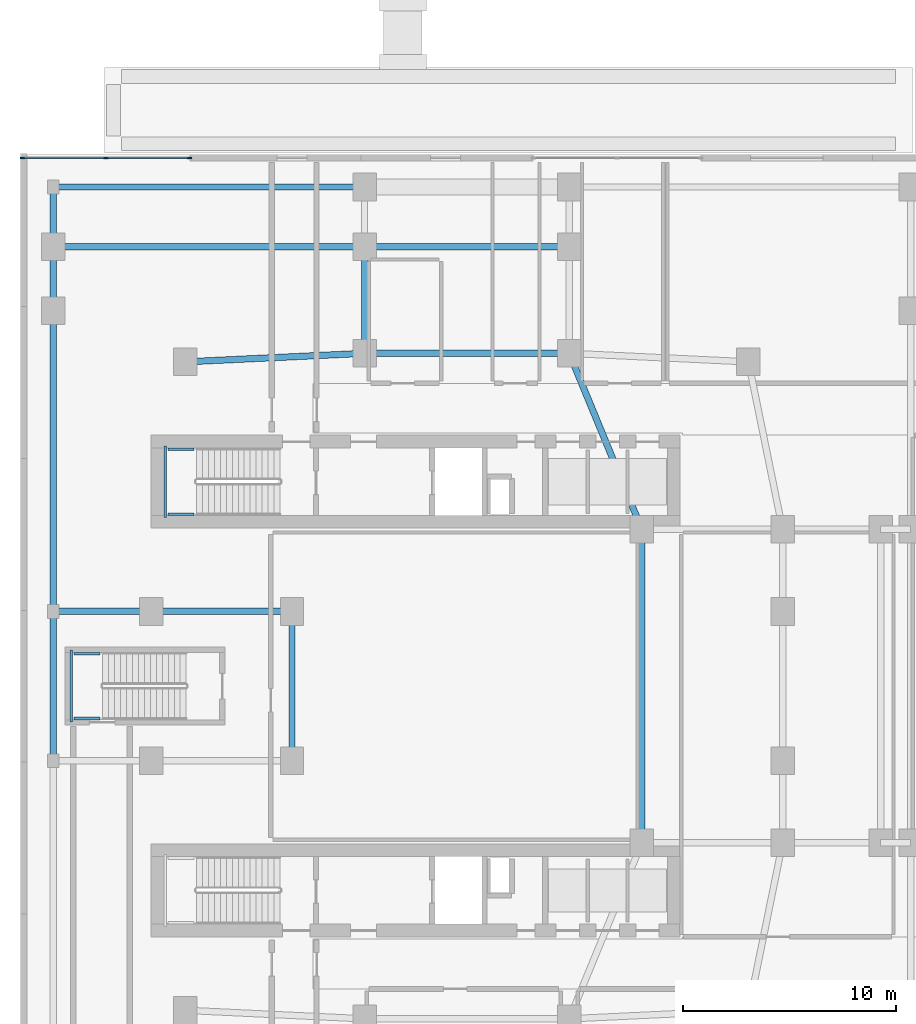
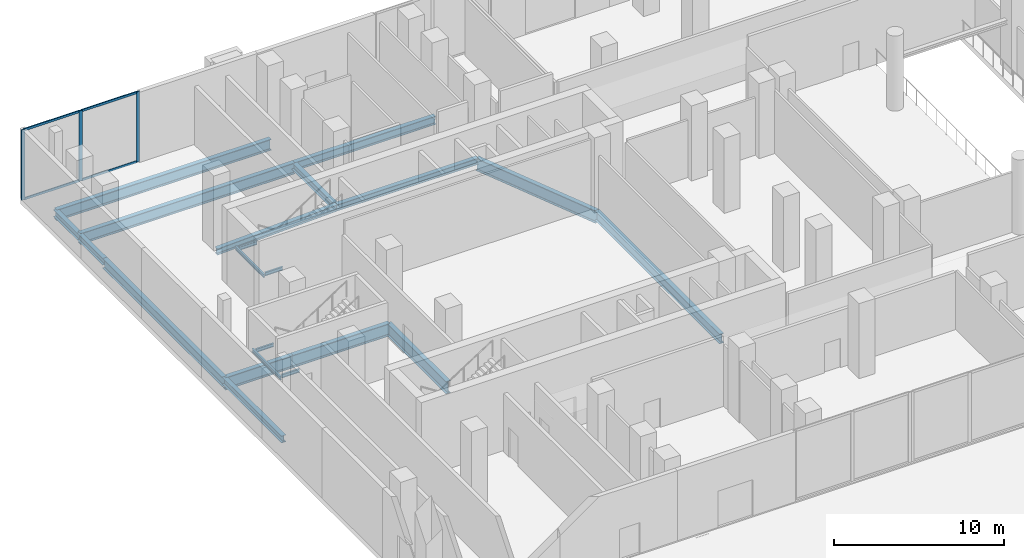
# One storey, part 4 of 24: 21 beams, 7 members, 1 element without a shape of its own.
"""IFC4 building model written with IfcOpenShell, lengths in metres."""

from ifc_helpers import new_model, si_unit, derived_unit, direction, frame, origin, origin_2d, place, context, subcontext, project, spatial, rectangle, i_section, extrude, material, layer, layer_set, material_profile, profile_set, type_object, element, aggregate, save


model = new_model("IFC4")

# Units and contexts
model_context = context("Model", 3, precision=1e-05, world=origin(), true_north=direction((0.0, 1.0)))
body_context = subcontext(model_context, "Body", "Model", "MODEL_VIEW")
ifc_project = project(units=[si_unit("LENGTHUNIT", "METRE"), si_unit("AREAUNIT", "SQUARE_METRE"), si_unit("VOLUMEUNIT", "CUBIC_METRE"), si_unit("PLANEANGLEUNIT", "RADIAN"), si_unit("MASSUNIT", "GRAM", prefix="KILO"), derived_unit("THERMALTRANSMITTANCEUNIT", [(si_unit("POWERUNIT", "WATT"), 1), (si_unit("LENGTHUNIT", "METRE"), -2), (si_unit("THERMODYNAMICTEMPERATUREUNIT", "KELVIN"), -1)])], contexts=[model_context])

# Site, building, storey
site_placement = place(None, origin())
site = spatial("IfcSite", under=ifc_project, at=site_placement, CompositionType="ELEMENT")
building_placement = place(site_placement, origin())
building = spatial("IfcBuilding", under=site, at=building_placement, Name="Kivonza Crest Hotel", CompositionType="ELEMENT")
storey_placement = place(building_placement, origin())
storey = spatial("IfcBuildingStorey", under=building, at=storey_placement, Name="L00", CompositionType="ELEMENT", Elevation=0.0)

# Beams
ifc_material_1 = material(Name="Steel S355", Category="steel")
ifc_material_profile_1 = material_profile(ifc_material_1, i_section(OverallWidth=0.300048828125, OverallDepth=0.449951171875, WebThickness=0.013916015625, FlangeThickness=0.02587890625, FilletRadius=0.027099609375, at=origin_2d()), Name="HEB 450")
ifc_profile_set_1 = profile_set([ifc_material_profile_1], Name="Steel S355")
beam_type_1 = type_object("IfcBeamType", Name="BM-HEB450", PredefinedType="SPANDREL", material=ifc_profile_set_1)
beam_1_placement = place(storey_placement, frame((25.800048828125, 40.60009765625, -0.574951171875), z_axis=(-1.0, 0.0, 0.0), x_axis=(0.0, -1.0, 0.0)))
element("IfcBeam", 1, at=beam_1_placement, inside=storey, type_object=beam_type_1, Name="Tower T1 L00 perimeter spandrel N2-N1", PredefinedType="SPANDREL", context=body_context, shape_type="SweptSolid", body=[
    extrude(i_section(OverallWidth=0.300048828125, OverallDepth=0.449951171875, WebThickness=0.013916015625, FlangeThickness=0.02587890625, FilletRadius=0.027099609375, at=origin_2d()), origin(), (0.0, 0.0, 1.0), 9.60009765625),
])
beam_2_placement = place(storey_placement, frame((16.199951171875, 40.60009765625, -0.574951171875), z_axis=(-0.998867283688, -0.047583080799, 0.0), x_axis=(0.047583080799, -0.998867283688, 0.0)))
element("IfcBeam", 2, at=beam_2_placement, inside=storey, type_object=beam_type_1, Name="Tower T1 L00 perimeter spandrel N1-NW", PredefinedType="SPANDREL", context=body_context, shape_type="SweptSolid", body=[
    extrude(i_section(OverallWidth=0.300048828125, OverallDepth=0.449951171875, WebThickness=0.013916015625, FlangeThickness=0.02587890625, FilletRadius=0.027099609375, at=origin_2d()), origin(), (0.0, 0.0, 1.0), 8.409423828125),
])
ifc_material_profile_2 = material_profile(ifc_material_1, i_section(OverallWidth=0.300048828125, OverallDepth=0.5, WebThickness=0.014404296875, FlangeThickness=0.028076171875, FilletRadius=0.027099609375, at=origin_2d()), Name="HEB 500")
ifc_profile_set_2 = profile_set([ifc_material_profile_2], Name="Steel S355")
beam_type_2 = type_object("IfcBeamType", Name="BM-HEB500", PredefinedType="BEAM", material=ifc_profile_set_2)
beam_3_placement = place(storey_placement, frame((1.60009765625, 21.5, -0.60009765625), z_axis=(0.0, 1.0, 0.0), x_axis=(-1.0, 0.0, 0.0)))
element("IfcBeam", 3, at=beam_3_placement, inside=storey, type_object=beam_type_2, Name="L00 podium girder Y 51", PredefinedType="BEAM", context=body_context, shape_type="SweptSolid", body=[
    extrude(i_section(OverallWidth=0.300048828125, OverallDepth=0.5, WebThickness=0.014404296875, FlangeThickness=0.028076171875, FilletRadius=0.027099609375, at=origin_2d()), origin(), (0.0, 0.0, 1.0), 7.0),
])
beam_4_placement = place(storey_placement, frame((1.60009765625, 42.60009765625, -0.60009765625), z_axis=(0.0, 1.0, 0.0), x_axis=(-1.0, 0.0, 0.0)))
element("IfcBeam", 4, at=beam_4_placement, inside=storey, type_object=beam_type_2, Name="L00 podium girder Y 53", PredefinedType="BEAM", context=body_context, shape_type="SweptSolid", body=[
    extrude(i_section(OverallWidth=0.300048828125, OverallDepth=0.5, WebThickness=0.014404296875, FlangeThickness=0.028076171875, FilletRadius=0.027099609375, at=origin_2d()), origin(), (0.0, 0.0, 1.0), 3.0),
])
beam_5_placement = place(storey_placement, frame((1.60009765625, 45.60009765625, -0.60009765625), z_axis=(0.0, 1.0, 0.0), x_axis=(-1.0, 0.0, 0.0)))
element("IfcBeam", 5, at=beam_5_placement, inside=storey, type_object=beam_type_2, Name="L00 podium girder Y 54", PredefinedType="BEAM", context=body_context, shape_type="SweptSolid", body=[
    extrude(i_section(OverallWidth=0.300048828125, OverallDepth=0.5, WebThickness=0.014404296875, FlangeThickness=0.028076171875, FilletRadius=0.027099609375, at=origin_2d()), origin(), (0.0, 0.0, 1.0), 2.7998046875),
])
beam_6_placement = place(storey_placement, frame((16.199951171875, 40.60009765625, -0.60009765625), z_axis=(0.0, 1.0, 0.0), x_axis=(-1.0, 0.0, 0.0)))
element("IfcBeam", 6, at=beam_6_placement, inside=storey, type_object=beam_type_2, Name="L00 podium girder Y 59", PredefinedType="BEAM", context=body_context, shape_type="SweptSolid", body=[
    extrude(i_section(OverallWidth=0.300048828125, OverallDepth=0.5, WebThickness=0.014404296875, FlangeThickness=0.028076171875, FilletRadius=0.027099609375, at=origin_2d()), origin(), (0.0, 0.0, 1.0), 5.0),
])
ifc_material_profile_3 = material_profile(ifc_material_1, i_section(OverallWidth=0.300048828125, OverallDepth=0.60009765625, WebThickness=0.015380859375, FlangeThickness=0.030029296875, FilletRadius=0.027099609375, at=origin_2d()), Name="HEB 600")
ifc_profile_set_3 = profile_set([ifc_material_profile_3], Name="Steel S355")
beam_type_3 = type_object("IfcBeamType", Name="BM-HEB600", PredefinedType="BEAM", material=ifc_profile_set_3)
beam_7_placement = place(storey_placement, frame((16.199951171875, 45.60009765625, -0.64990234375), z_axis=(1.0, 0.0, 0.0), x_axis=(0.0, 1.0, 0.0)))
element("IfcBeam", 7, at=beam_7_placement, inside=storey, type_object=beam_type_3, Name="L00 podium girder X 38", PredefinedType="BEAM", context=body_context, shape_type="SweptSolid", body=[
    extrude(i_section(OverallWidth=0.300048828125, OverallDepth=0.60009765625, WebThickness=0.015380859375, FlangeThickness=0.030029296875, FilletRadius=0.027099609375, at=origin_2d()), origin(), (0.0, 0.0, 1.0), 9.60009765625),
])
ifc_material_profile_4 = material_profile(ifc_material_1, i_section(OverallWidth=0.300048828125, OverallDepth=0.699951171875, WebThickness=0.01708984375, FlangeThickness=0.031982421875, FilletRadius=0.027099609375, at=origin_2d()), Name="HEB 700")
ifc_profile_set_4 = profile_set([ifc_material_profile_4], Name="Steel S355")
beam_type_4 = type_object("IfcBeamType", Name="BM-HEB700", PredefinedType="BEAM", material=ifc_profile_set_4)
beam_8_placement = place(storey_placement, frame((1.60009765625, 28.5, -0.699951171875), z_axis=(0.0, 1.0, 0.0), x_axis=(-1.0, 0.0, 0.0)))
element("IfcBeam", 8, at=beam_8_placement, inside=storey, type_object=beam_type_4, Name="L00 podium girder Y 52", PredefinedType="BEAM", context=body_context, shape_type="SweptSolid", body=[
    extrude(i_section(OverallWidth=0.300048828125, OverallDepth=0.699951171875, WebThickness=0.01708984375, FlangeThickness=0.031982421875, FilletRadius=0.027099609375, at=origin_2d()), origin(), (0.0, 0.0, 1.0), 14.10009765625),
])
beam_9_placement = place(storey_placement, frame((29.199951171875, 17.64990234375, -0.699951171875), z_axis=(0.0, 1.0, 0.0), x_axis=(-1.0, 0.0, 0.0)))
element("IfcBeam", 9, at=beam_9_placement, inside=storey, type_object=beam_type_4, Name="L00 podium girder Y 65", PredefinedType="BEAM", context=body_context, shape_type="SweptSolid", body=[
    extrude(i_section(OverallWidth=0.300048828125, OverallDepth=0.699951171875, WebThickness=0.01708984375, FlangeThickness=0.031982421875, FilletRadius=0.027099609375, at=origin_2d()), origin(), (0.0, 0.0, 1.0), 14.7001953125),
])
ifc_material_profile_5 = material_profile(ifc_material_1, i_section(OverallWidth=0.300048828125, OverallDepth=0.800048828125, WebThickness=0.017578125, FlangeThickness=0.032958984375, FilletRadius=0.030029296875, at=origin_2d()), Name="HEB 800")
ifc_profile_set_5 = profile_set([ifc_material_profile_5], Name="Steel S355")
beam_type_5 = type_object("IfcBeamType", Name="BM-HEB800", PredefinedType="BEAM", material=ifc_profile_set_5)
for number, where, z_axis, x_axis, name in (
    (10, (1.60009765625, 45.60009765625, -0.75), (1.0, 0.0, 0.0), (0.0, 1.0, 0.0), "L00 podium girder X 37"),
    (11, (1.60009765625, 48.39990234375, -0.75), (1.0, 0.0, 0.0), (0.0, 1.0, 0.0), "L00 podium girder X 41"),
):
    element("IfcBeam", number, at=place(storey_placement, frame(where, z_axis=z_axis, x_axis=x_axis)), inside=storey, type_object=beam_type_5, Name=name, PredefinedType="BEAM", context=body_context, shape_type="SweptSolid", body=[
        extrude(i_section(OverallWidth=0.300048828125, OverallDepth=0.800048828125, WebThickness=0.017578125, FlangeThickness=0.032958984375, FilletRadius=0.030029296875, at=origin_2d()), origin(), (0.0, 0.0, 1.0), 14.599853515625),
    ])
ifc_material_profile_6 = material_profile(ifc_material_1, i_section(OverallWidth=0.300048828125, OverallDepth=0.89990234375, WebThickness=0.0185546875, FlangeThickness=0.034912109375, FilletRadius=0.030029296875, at=origin_2d()), Name="HEB 900")
ifc_profile_set_6 = profile_set([ifc_material_profile_6], Name="Steel S355")
beam_type_6 = type_object("IfcBeamType", Name="BM-HEB900", PredefinedType="BEAM", material=ifc_profile_set_6)
beam_10_placement = place(storey_placement, frame((6.199951171875, 28.5, -0.800048828125), z_axis=(1.0, 0.0, 0.0), x_axis=(0.0, 1.0, 0.0)))
element("IfcBeam", 12, at=beam_10_placement, inside=storey, type_object=beam_type_6, Name="Tower T1 L00 primary girder W2-WL2", PredefinedType="BEAM", context=body_context, shape_type="SweptSolid", body=[
    extrude(i_section(OverallWidth=0.300048828125, OverallDepth=0.89990234375, WebThickness=0.0185546875, FlangeThickness=0.034912109375, FilletRadius=0.030029296875, at=origin_2d()), origin(), (0.0, 0.0, 1.0), 6.60009765625),
])
beam_11_placement = place(storey_placement, frame((12.800048828125, 21.5, -0.800048828125), z_axis=(0.0, 1.0, 0.0), x_axis=(-1.0, 0.0, 0.0)))
element("IfcBeam", 13, at=beam_11_placement, inside=storey, type_object=beam_type_6, Name="Tower T1 L00 primary girder WL1-WL2", PredefinedType="BEAM", context=body_context, shape_type="SweptSolid", body=[
    extrude(i_section(OverallWidth=0.300048828125, OverallDepth=0.89990234375, WebThickness=0.0185546875, FlangeThickness=0.034912109375, FilletRadius=0.030029296875, at=origin_2d()), origin(), (0.0, 0.0, 1.0), 7.0),
])
beam_12_placement = place(storey_placement, frame((25.800048828125, 40.60009765625, -0.800048828125), z_axis=(0.381022260404, -0.924565864109, 0.0), x_axis=(0.924565864109, 0.381022260404, 0.0)))
element("IfcBeam", 14, at=beam_12_placement, inside=storey, type_object=beam_type_6, Name="Tower T1 L00 primary girder N1-TNE", PredefinedType="BEAM", context=body_context, shape_type="SweptSolid", body=[
    extrude(i_section(OverallWidth=0.300048828125, OverallDepth=0.89990234375, WebThickness=0.0185546875, FlangeThickness=0.034912109375, FilletRadius=0.030029296875, at=origin_2d()), origin(), (0.0, 0.0, 1.0), 8.923095703125),
])
beam_13_placement = place(storey_placement, frame((1.60009765625, 28.5, -0.800048828125), z_axis=(1.0, 0.0, 0.0), x_axis=(0.0, 1.0, 0.0)))
element("IfcBeam", 15, at=beam_13_placement, inside=storey, type_object=beam_type_6, Name="Tower T1 L00 outer bay girder ZW2", PredefinedType="BEAM", context=body_context, shape_type="SweptSolid", body=[
    extrude(i_section(OverallWidth=0.300048828125, OverallDepth=0.89990234375, WebThickness=0.0185546875, FlangeThickness=0.034912109375, FilletRadius=0.030029296875, at=origin_2d()), origin(), (0.0, 0.0, 1.0), 4.599853515625),
])
ifc_material_profile_7 = material_profile(ifc_material_1, i_section(OverallWidth=0.1201171875, OverallDepth=0.239990234375, WebThickness=0.006103515625, FlangeThickness=0.009765625, FilletRadius=0.014892578125, at=origin_2d()), Name="IPE 240")
ifc_profile_set_7 = profile_set([ifc_material_profile_7], Name="Steel S355")
beam_type_7 = type_object("IfcBeamType", Name="BM-LLDG-240", PredefinedType="BEAM", material=ifc_profile_set_7)
beam_14_placement = place(storey_placement, frame((6.860107421875, 32.89990234375, 2.3798828125), z_axis=(0.0, 1.0, 0.0), x_axis=(-1.0, 0.0, 0.0)))
element("IfcBeam", 16, at=beam_14_placement, inside=storey, type_object=beam_type_7, Name="Stair ST-T1-N L00 West landing corbel", PredefinedType="BEAM", context=body_context, shape_type="SweptSolid", body=[
    extrude(i_section(OverallWidth=0.1201171875, OverallDepth=0.239990234375, WebThickness=0.006103515625, FlangeThickness=0.009765625, FilletRadius=0.014892578125, at=origin_2d()), origin(), (0.0, 0.0, 1.0), 3.360107421875),
])
for number, where, z_axis, x_axis, name in (
    (17, (6.989990234375, 33.06005859375, 2.3798828125), (1.0, 0.0, 0.0), (0.0, 1.0, 0.0), "Stair ST-T1-N L00 South landing corbel"),
    (18, (6.989990234375, 36.10009765625, 2.3798828125), (1.0, 0.0, 0.0), (0.0, 1.0, 0.0), "Stair ST-T1-N L00 North landing corbel"),
):
    element("IfcBeam", number, at=place(storey_placement, frame(where, z_axis=z_axis, x_axis=x_axis)), inside=storey, type_object=beam_type_7, Name=name, PredefinedType="BEAM", context=body_context, shape_type="SweptSolid", body=[
        extrude(i_section(OverallWidth=0.1201171875, OverallDepth=0.239990234375, WebThickness=0.006103515625, FlangeThickness=0.009765625, FilletRadius=0.014892578125, at=origin_2d()), origin(), (0.0, 0.0, 1.0), 1.2099609375),
    ])
beam_15_placement = place(storey_placement, frame((2.4599609375, 23.320068359375, 2.3798828125), z_axis=(0.0, 1.0, 0.0), x_axis=(-1.0, 0.0, 0.0)))
element("IfcBeam", 19, at=beam_15_placement, inside=storey, type_object=beam_type_7, Name="Stair ST-POD-W L00 West landing corbel", PredefinedType="BEAM", context=body_context, shape_type="SweptSolid", body=[
    extrude(i_section(OverallWidth=0.1201171875, OverallDepth=0.239990234375, WebThickness=0.006103515625, FlangeThickness=0.009765625, FilletRadius=0.014892578125, at=origin_2d()), origin(), (0.0, 0.0, 1.0), 3.35986328125),
])
for number, where, z_axis, x_axis, name in (
    (20, (2.590087890625, 23.47998046875, 2.3798828125), (1.0, 0.0, 0.0), (0.0, 1.0, 0.0), "Stair ST-POD-W L00 South landing corbel"),
    (21, (2.590087890625, 26.52001953125, 2.3798828125), (1.0, 0.0, 0.0), (0.0, 1.0, 0.0), "Stair ST-POD-W L00 North landing corbel"),
):
    element("IfcBeam", number, at=place(storey_placement, frame(where, z_axis=z_axis, x_axis=x_axis)), inside=storey, type_object=beam_type_7, Name=name, PredefinedType="BEAM", context=body_context, shape_type="SweptSolid", body=[
        extrude(i_section(OverallWidth=0.1201171875, OverallDepth=0.239990234375, WebThickness=0.006103515625, FlangeThickness=0.009765625, FilletRadius=0.014892578125, at=origin_2d()), origin(), (0.0, 0.0, 1.0), 1.2099609375),
    ])

# Curtain wall, members
ifc_material_2 = material(Name="Anodised bronze aluminium and low-E double glazing", Category="aluminium")
ifc_layer = layer(ifc_material_2, 0.219970703125)
ifc_layer_set = layer_set([ifc_layer], Name="Anodised bronze aluminium and low-E double glazing")
curtain_wall_type = type_object("IfcCurtainWallType", Name="CW-SYS-1", PredefinedType="NOTDEFINED", material=ifc_layer_set)
curtain_wall_placement = place(storey_placement, origin())
curtain_wall = element("IfcCurtainWall", 22, at=curtain_wall_placement, inside=storey, type_object=curtain_wall_type, Name="L00 unitised curtain wall CW-POD-L00-31", PredefinedType="NOTDEFINED")
ifc_material_3 = material(Name="Anodised bronze aluminium", Category="aluminium")
ifc_material_profile_8 = material_profile(ifc_material_3, rectangle(XDim=0.074951171875, YDim=0.219970703125, at=origin_2d()), Name="CW-M 75x220")
ifc_profile_set_8 = profile_set([ifc_material_profile_8], Name="Anodised bronze aluminium")
member_type_1 = type_object("IfcMemberType", Name="CW-MUL-75x220", PredefinedType="MULLION", material=ifc_profile_set_8)
member_1_placement = place(storey_placement, frame((7.989501953125, 49.760009765625, 0.0), z_axis=(0.0, 0.0, 1.0), x_axis=(0.0, -1.0, 0.0)))
member_1 = element("IfcMember", 23, at=member_1_placement, type_object=member_type_1, Name="CW-1 mullion 1", PredefinedType="MULLION", context=body_context, shape_type="SweptSolid", body=[
    extrude(rectangle(XDim=0.074951171875, YDim=0.219970703125, at=origin_2d()), origin(), (0.0, 0.0, 1.0), 5.050048828125),
])
member_2_placement = place(storey_placement, frame((4.073486328125, 49.760009765625, 0.0), z_axis=(0.0, 0.0, 1.0), x_axis=(0.0, -1.0, 0.0)))
member_2 = element("IfcMember", 24, at=member_2_placement, type_object=member_type_1, Name="CW-1 mullion 2", PredefinedType="MULLION", context=body_context, shape_type="SweptSolid", body=[
    extrude(rectangle(XDim=0.074951171875, YDim=0.219970703125, at=origin_2d()), origin(), (0.0, 0.0, 1.0), 5.050048828125),
])
member_3_placement = place(storey_placement, frame((0.157470703125, 49.760009765625, 0.0), z_axis=(0.0, 0.0, 1.0), x_axis=(0.0, -1.0, 0.0)))
member_3 = element("IfcMember", 25, at=member_3_placement, type_object=member_type_1, Name="CW-1 mullion 3", PredefinedType="MULLION", context=body_context, shape_type="SweptSolid", body=[
    extrude(rectangle(XDim=0.074951171875, YDim=0.219970703125, at=origin_2d()), origin(), (0.0, 0.0, 1.0), 5.050048828125),
])
ifc_material_profile_9 = material_profile(ifc_material_3, rectangle(XDim=0.074951171875, YDim=0.159912109375, at=origin_2d()), Name="CW-T 75x160")
ifc_profile_set_9 = profile_set([ifc_material_profile_9], Name="Anodised bronze aluminium")
member_type_2 = type_object("IfcMemberType", Name="CW-TRN-75x160", PredefinedType="USERDEFINED", material=ifc_profile_set_9)
member_4_placement = place(storey_placement, frame((7.951904296875, 49.760009765625, 0.03759765625), z_axis=(-1.0, 0.0, 0.0), x_axis=(0.0, -1.0, 0.0)))
member_4 = element("IfcMember", 26, at=member_4_placement, type_object=member_type_2, Name="CW-1 transom 1.1", ObjectType="TRANSOM", PredefinedType="USERDEFINED", context=body_context, shape_type="SweptSolid", body=[
    extrude(rectangle(XDim=0.074951171875, YDim=0.159912109375, at=origin_2d()), origin(), (0.0, 0.0, 1.0), 3.8408203125),
])
member_5_placement = place(storey_placement, frame((7.951904296875, 49.760009765625, 5.012451171875), z_axis=(-1.0, 0.0, 0.0), x_axis=(0.0, -1.0, 0.0)))
member_5 = element("IfcMember", 27, at=member_5_placement, type_object=member_type_2, Name="CW-1 transom 1.2", ObjectType="TRANSOM", PredefinedType="USERDEFINED", context=body_context, shape_type="SweptSolid", body=[
    extrude(rectangle(XDim=0.074951171875, YDim=0.159912109375, at=origin_2d()), origin(), (0.0, 0.0, 1.0), 3.8408203125),
])
member_6_placement = place(storey_placement, frame((4.035888671875, 49.760009765625, 0.03759765625), z_axis=(-1.0, 0.0, 0.0), x_axis=(0.0, -1.0, 0.0)))
member_6 = element("IfcMember", 28, at=member_6_placement, type_object=member_type_2, Name="CW-1 transom 2.1", ObjectType="TRANSOM", PredefinedType="USERDEFINED", context=body_context, shape_type="SweptSolid", body=[
    extrude(rectangle(XDim=0.074951171875, YDim=0.159912109375, at=origin_2d()), origin(), (0.0, 0.0, 1.0), 3.8408203125),
])
member_7_placement = place(storey_placement, frame((4.035888671875, 49.760009765625, 5.012451171875), z_axis=(-1.0, 0.0, 0.0), x_axis=(0.0, -1.0, 0.0)))
member_7 = element("IfcMember", 29, at=member_7_placement, type_object=member_type_2, Name="CW-1 transom 2.2", ObjectType="TRANSOM", PredefinedType="USERDEFINED", context=body_context, shape_type="SweptSolid", body=[
    extrude(rectangle(XDim=0.074951171875, YDim=0.159912109375, at=origin_2d()), origin(), (0.0, 0.0, 1.0), 3.8408203125),
])
aggregate(curtain_wall, [member_1, member_2, member_3, member_4, member_5, member_6, member_7])

save(model, "model.ifc")
